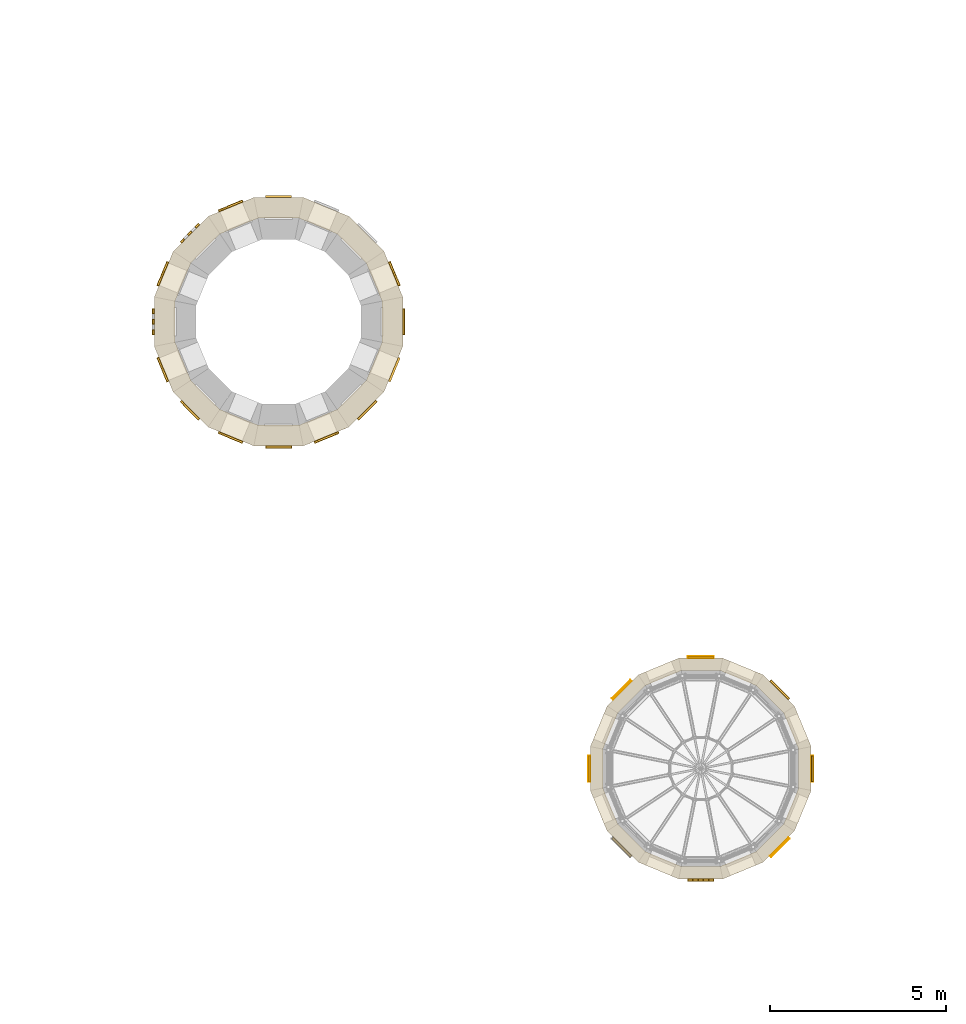
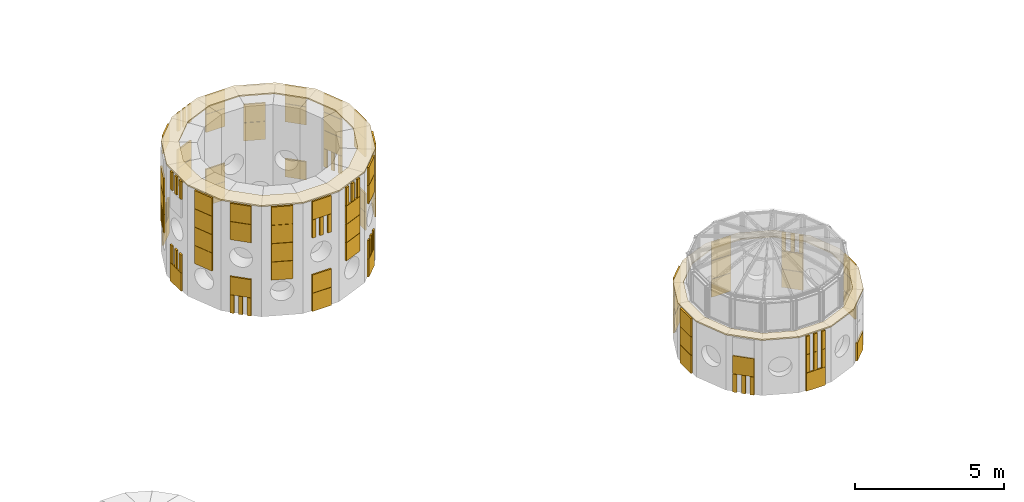
# One storey, part 36 of 42: 12 coverings.
"""IFC4 building model written with IfcOpenShell, lengths in metres."""

from ifc_helpers import new_model, si_unit, direction, frame, origin, origin_2d, place, context, subcontext, project, spatial, polyline, rectangle, outline, extrude, material, layer, layer_set, type_object, element, save


model = new_model("IFC4")

# Units and contexts
model_context = context("Model", 3, precision=1e-05, world=origin(), true_north=direction((0.0, 1.0)))
body_context = subcontext(model_context, "Body", "Model", "MODEL_VIEW")
ifc_project = project(units=[si_unit("LENGTHUNIT", "METRE"), si_unit("AREAUNIT", "SQUARE_METRE"), si_unit("VOLUMEUNIT", "CUBIC_METRE"), si_unit("PLANEANGLEUNIT", "RADIAN"), si_unit("MASSUNIT", "GRAM", prefix="KILO")], contexts=[model_context])

# Site, building, storey
site_placement = place(None, origin())
site = spatial("IfcSite", under=ifc_project, at=site_placement, CompositionType="ELEMENT")
building_placement = place(site_placement, origin())
building = spatial("IfcBuilding", under=site, at=building_placement, Name="Sun Court Science Centre", CompositionType="ELEMENT")
storey_placement = place(building_placement, frame((0.0, 0.0, 20.25)))
storey = spatial("IfcBuildingStorey", under=building, at=storey_placement, Name="L04", CompositionType="ELEMENT", Elevation=20.25)

# Coverings
ifc_material_1 = material(Name="Red sandstone", Category="masonry")
ifc_layer_1 = layer(ifc_material_1, 0.050048828125)
ifc_layer_set_1 = layer_set([ifc_layer_1], Name="Red sandstone")
covering_type_1 = type_object("IfcCoveringType", Name="Red sandstone coping 50", PredefinedType="CLADDING", material=ifc_layer_set_1)
covering_1_placement = place(storey_placement, frame((0.0, 0.0, 4.199951171875)))
element("IfcCovering", 1, at=covering_1_placement, inside=storey, type_object=covering_type_1, Name="Sandstone coping of drum ledge cone 4 5", PredefinedType="CLADDING", context=body_context, shape_type="SweptSolid", body=[
    extrude(outline(polyline([(45.53076171875, 24.90234375), (44.993408203125, 26.199951171875), (44.0, 27.193359375), (42.702392578125, 27.730712890625), (41.297607421875, 27.730712890625), (40.0, 27.193359375), (39.006591796875, 26.199951171875), (38.46923828125, 24.90234375), (38.46923828125, 23.49755859375), (39.006591796875, 22.199951171875), (40.0, 21.206787109375), (41.297607421875, 20.669189453125), (42.702392578125, 20.669189453125), (44.0, 21.206787109375), (44.993408203125, 22.199951171875), (45.53076171875, 23.49755859375), (45.53076171875, 24.90234375)]), holes=[polyline([(44.9423828125, 24.78515625), (44.494384765625, 25.86669921875), (43.666748046875, 26.6943359375), (42.585205078125, 27.142333984375), (41.414794921875, 27.142333984375), (40.333251953125, 26.6943359375), (39.505615234375, 25.86669921875), (39.0576171875, 24.78515625), (39.0576171875, 23.61474609375), (39.505615234375, 22.533203125), (40.333251953125, 21.70556640625), (41.414794921875, 21.257568359375), (42.585205078125, 21.257568359375), (43.666748046875, 21.70556640625), (44.494384765625, 22.533203125), (44.9423828125, 23.61474609375), (44.9423828125, 24.78515625)])]), origin(), (0.0, 0.0, 1.0), 0.050048828125),
])
covering_2_placement = place(storey_placement, frame((0.0, 0.0, 1.949951171875)))
element("IfcCovering", 2, at=covering_2_placement, inside=storey, type_object=covering_type_1, Name="Sandstone coping of drum top cone 5", PredefinedType="CLADDING", context=body_context, shape_type="SweptSolid", body=[
    extrude(outline(polyline([(57.138427734375, 12.124267578125), (56.66064453125, 13.27783203125), (55.77783203125, 14.16064453125), (54.624267578125, 14.638427734375), (53.375732421875, 14.638427734375), (52.22216796875, 14.16064453125), (51.33935546875, 13.27783203125), (50.861572265625, 12.124267578125), (50.861572265625, 10.875732421875), (51.33935546875, 9.72216796875), (52.22216796875, 8.83935546875), (53.375732421875, 8.361572265625), (54.624267578125, 8.361572265625), (55.77783203125, 8.83935546875), (56.66064453125, 9.72216796875), (57.138427734375, 10.875732421875), (57.138427734375, 12.124267578125)]), holes=[polyline([(56.78369140625, 12.0537109375), (56.35986328125, 13.076904296875), (55.576904296875, 13.85986328125), (54.5537109375, 14.28369140625), (53.4462890625, 14.28369140625), (52.423095703125, 13.85986328125), (51.64013671875, 13.076904296875), (51.21630859375, 12.0537109375), (51.21630859375, 10.9462890625), (51.64013671875, 9.923095703125), (52.423095703125, 9.14013671875), (53.4462890625, 8.71630859375), (54.5537109375, 8.71630859375), (55.576904296875, 9.14013671875), (56.35986328125, 9.923095703125), (56.78369140625, 10.9462890625), (56.78369140625, 12.0537109375)])]), origin(), (0.0, 0.0, 1.0), 0.050048828125),
])
ifc_material_2 = material(Name="Terracotta jali", Category="masonry")
ifc_layer_2 = layer(ifc_material_2, 0.06005859375)
ifc_layer_set_2 = layer_set([ifc_layer_2], Name="Terracotta jali")
covering_type_2 = type_object("IfcCoveringType", Name="Terracotta open jali panel", PredefinedType="CLADDING", material=ifc_layer_set_2)
covering_3_placement = place(storey_placement, frame((0.0, 0.0, -20.25)))
element("IfcCovering", 3, at=covering_3_placement, inside=storey, type_object=covering_type_2, Name="Open jali pixel cladding cone 4 L04", PredefinedType="CLADDING", context=body_context, shape_type="SweptSolid", body=[
    extrude(rectangle(XDim=0.139892578125, YDim=0.06005859375, at=origin_2d()), frame((45.175048828125, 25.83984375, 21.455078125), z_axis=(0.0, 0.0, 1.0), x_axis=(0.382683432365, -0.923879532511, 0.0)), (0.0, 0.0, 1.0), 0.739990234375),
    extrude(rectangle(XDim=0.139892578125, YDim=0.06005859375, at=origin_2d()), frame((45.289794921875, 25.562744140625, 21.455078125), z_axis=(0.0, 0.0, 1.0), x_axis=(0.382683432365, -0.923879532511, 0.0)), (0.0, 0.0, 1.0), 0.739990234375),
    extrude(rectangle(XDim=0.139892578125, YDim=0.06005859375, at=origin_2d()), frame((45.404541015625, 25.285400390625, 21.455078125), z_axis=(0.0, 0.0, 1.0), x_axis=(0.382683432365, -0.923879532511, 0.0)), (0.0, 0.0, 1.0), 0.739990234375),
    extrude(rectangle(XDim=0.139892578125, YDim=0.06005859375, at=origin_2d()), frame((40.360107421875, 27.375, 23.705078125), z_axis=(0.0, 0.0, 1.0), x_axis=(0.923879532511, 0.382683432365, 0.0)), (0.0, 0.0, 1.0), 0.739990234375),
    extrude(rectangle(XDim=0.139892578125, YDim=0.06005859375, at=origin_2d()), frame((40.637451171875, 27.48974609375, 23.705078125), z_axis=(0.0, 0.0, 1.0), x_axis=(0.923879532511, 0.382683432365, 0.0)), (0.0, 0.0, 1.0), 0.739990234375),
    extrude(rectangle(XDim=0.139892578125, YDim=0.06005859375, at=origin_2d()), frame((40.91455078125, 27.6044921875, 23.705078125), z_axis=(0.0, 0.0, 1.0), x_axis=(0.923879532511, 0.382683432365, 0.0)), (0.0, 0.0, 1.0), 0.739990234375),
    extrude(rectangle(XDim=0.139892578125, YDim=0.06005859375, at=origin_2d()), frame((39.27001953125, 26.505859375, 20.705078125), z_axis=(0.0, 0.0, 1.0), x_axis=(0.707106781187, 0.707106781187, 0.0)), (0.0, 0.0, 1.0), 0.739990234375),
    extrude(rectangle(XDim=0.139892578125, YDim=0.06005859375, at=origin_2d()), frame((39.482177734375, 26.7177734375, 20.705078125), z_axis=(0.0, 0.0, 1.0), x_axis=(0.707106781187, 0.707106781187, 0.0)), (0.0, 0.0, 1.0), 0.739990234375),
    extrude(rectangle(XDim=0.139892578125, YDim=0.06005859375, at=origin_2d()), frame((39.6943359375, 26.929931640625, 20.705078125), z_axis=(0.0, 0.0, 1.0), x_axis=(0.707106781187, 0.707106781187, 0.0)), (0.0, 0.0, 1.0), 0.739990234375),
    extrude(rectangle(XDim=0.139892578125, YDim=0.06005859375, at=origin_2d()), frame((38.595458984375, 25.285400390625, 21.455078125), z_axis=(0.0, 0.0, 1.0), x_axis=(0.382683432365, 0.923879532511, 0.0)), (0.0, 0.0, 1.0), 0.739990234375),
    extrude(rectangle(XDim=0.139892578125, YDim=0.06005859375, at=origin_2d()), frame((38.710205078125, 25.562744140625, 21.455078125), z_axis=(0.0, 0.0, 1.0), x_axis=(0.382683432365, 0.923879532511, 0.0)), (0.0, 0.0, 1.0), 0.739990234375),
    extrude(rectangle(XDim=0.139892578125, YDim=0.06005859375, at=origin_2d()), frame((38.824951171875, 25.83984375, 21.455078125), z_axis=(0.0, 0.0, 1.0), x_axis=(0.382683432365, 0.923879532511, 0.0)), (0.0, 0.0, 1.0), 0.739990234375),
    extrude(rectangle(XDim=0.139892578125, YDim=0.06005859375, at=origin_2d()), frame((38.439208984375, 23.89990234375, 20.705078125), z_axis=(0.0, 0.0, 1.0), x_axis=(0.0, 1.0, 0.0)), (0.0, 0.0, 1.0), 0.739990234375),
    extrude(rectangle(XDim=0.139892578125, YDim=0.06005859375, at=origin_2d()), frame((38.439208984375, 24.199951171875, 20.705078125), z_axis=(0.0, 0.0, 1.0), x_axis=(0.0, 1.0, 0.0)), (0.0, 0.0, 1.0), 0.739990234375),
    extrude(rectangle(XDim=0.139892578125, YDim=0.06005859375, at=origin_2d()), frame((38.439208984375, 24.5, 20.705078125), z_axis=(0.0, 0.0, 1.0), x_axis=(0.0, 1.0, 0.0)), (0.0, 0.0, 1.0), 0.739990234375),
    extrude(rectangle(XDim=0.139892578125, YDim=0.06005859375, at=origin_2d()), frame((38.439208984375, 23.89990234375, 23.705078125), z_axis=(0.0, 0.0, 1.0), x_axis=(0.0, 1.0, 0.0)), (0.0, 0.0, 1.0), 0.739990234375),
    extrude(rectangle(XDim=0.139892578125, YDim=0.06005859375, at=origin_2d()), frame((38.439208984375, 24.199951171875, 23.705078125), z_axis=(0.0, 0.0, 1.0), x_axis=(0.0, 1.0, 0.0)), (0.0, 0.0, 1.0), 0.739990234375),
    extrude(rectangle(XDim=0.139892578125, YDim=0.06005859375, at=origin_2d()), frame((38.439208984375, 24.5, 23.705078125), z_axis=(0.0, 0.0, 1.0), x_axis=(0.0, 1.0, 0.0)), (0.0, 0.0, 1.0), 0.739990234375),
    extrude(rectangle(XDim=0.139892578125, YDim=0.06005859375, at=origin_2d()), frame((39.6943359375, 21.469970703125, 19.955078125), z_axis=(0.0, 0.0, 1.0), x_axis=(-0.707106781187, 0.707106781187, 0.0)), (0.0, 0.0, 1.0), 0.739990234375),
    extrude(rectangle(XDim=0.139892578125, YDim=0.06005859375, at=origin_2d()), frame((39.482177734375, 21.68212890625, 19.955078125), z_axis=(0.0, 0.0, 1.0), x_axis=(-0.707106781187, 0.707106781187, 0.0)), (0.0, 0.0, 1.0), 0.739990234375),
    extrude(rectangle(XDim=0.139892578125, YDim=0.06005859375, at=origin_2d()), frame((39.27001953125, 21.894287109375, 19.955078125), z_axis=(0.0, 0.0, 1.0), x_axis=(-0.707106781187, 0.707106781187, 0.0)), (0.0, 0.0, 1.0), 0.739990234375),
    extrude(rectangle(XDim=0.139892578125, YDim=0.06005859375, at=origin_2d()), frame((42.300048828125, 20.63916015625, 22.955078125), z_axis=(0.0, 0.0, 1.0), x_axis=(-1.0, 0.0, 0.0)), (0.0, 0.0, 1.0), 0.739990234375),
    extrude(rectangle(XDim=0.139892578125, YDim=0.06005859375, at=origin_2d()), frame((42.0, 20.63916015625, 22.955078125), z_axis=(0.0, 0.0, 1.0), x_axis=(-1.0, 0.0, 0.0)), (0.0, 0.0, 1.0), 0.739990234375),
    extrude(rectangle(XDim=0.139892578125, YDim=0.06005859375, at=origin_2d()), frame((41.699951171875, 20.63916015625, 22.955078125), z_axis=(0.0, 0.0, 1.0), x_axis=(-1.0, 0.0, 0.0)), (0.0, 0.0, 1.0), 0.739990234375),
    extrude(rectangle(XDim=0.139892578125, YDim=0.06005859375, at=origin_2d()), frame((43.639892578125, 21.025146484375, 23.705078125), z_axis=(0.0, 0.0, 1.0), x_axis=(-0.923879532511, -0.382683432365, 0.0)), (0.0, 0.0, 1.0), 0.739990234375),
    extrude(rectangle(XDim=0.139892578125, YDim=0.06005859375, at=origin_2d()), frame((43.362548828125, 20.91015625, 23.705078125), z_axis=(0.0, 0.0, 1.0), x_axis=(-0.923879532511, -0.382683432365, 0.0)), (0.0, 0.0, 1.0), 0.739990234375),
    extrude(rectangle(XDim=0.139892578125, YDim=0.06005859375, at=origin_2d()), frame((43.08544921875, 20.79541015625, 23.705078125), z_axis=(0.0, 0.0, 1.0), x_axis=(-0.923879532511, -0.382683432365, 0.0)), (0.0, 0.0, 1.0), 0.739990234375),
    extrude(rectangle(XDim=0.139892578125, YDim=0.06005859375, at=origin_2d()), frame((44.72998046875, 21.894287109375, 20.705078125), z_axis=(0.0, 0.0, 1.0), x_axis=(-0.707106781187, -0.707106781187, 0.0)), (0.0, 0.0, 1.0), 0.739990234375),
    extrude(rectangle(XDim=0.139892578125, YDim=0.06005859375, at=origin_2d()), frame((44.517822265625, 21.68212890625, 20.705078125), z_axis=(0.0, 0.0, 1.0), x_axis=(-0.707106781187, -0.707106781187, 0.0)), (0.0, 0.0, 1.0), 0.739990234375),
    extrude(rectangle(XDim=0.139892578125, YDim=0.06005859375, at=origin_2d()), frame((44.3056640625, 21.469970703125, 20.705078125), z_axis=(0.0, 0.0, 1.0), x_axis=(-0.707106781187, -0.707106781187, 0.0)), (0.0, 0.0, 1.0), 0.739990234375),
    extrude(rectangle(XDim=0.739990234375, YDim=0.06005859375, at=origin_2d()), frame((42.0, 20.63916015625, 19.955078125), z_axis=(0.0, 0.0, 1.0), x_axis=(-1.0, 0.0, 0.0)), (0.0, 0.0, 1.0), 0.739990234375),
])
covering_4_placement = place(storey_placement, frame((0.0, 0.0, -20.25)))
element("IfcCovering", 4, at=covering_4_placement, inside=storey, type_object=covering_type_2, Name="Open jali pixel cladding cone 5 L04", PredefinedType="CLADDING", context=body_context, shape_type="SweptSolid", body=[
    extrude(rectangle(XDim=0.139892578125, YDim=0.06005859375, at=origin_2d()), frame((56.0283203125, 13.95263671875, 21.455078125), z_axis=(0.0, 0.0, 1.0), x_axis=(0.707106781187, -0.707106781187, 0.0)), (0.0, 0.0, 1.0), 0.739990234375),
    extrude(rectangle(XDim=0.139892578125, YDim=0.06005859375, at=origin_2d()), frame((56.240478515625, 13.740478515625, 21.455078125), z_axis=(0.0, 0.0, 1.0), x_axis=(0.707106781187, -0.707106781187, 0.0)), (0.0, 0.0, 1.0), 0.739990234375),
    extrude(rectangle(XDim=0.139892578125, YDim=0.06005859375, at=origin_2d()), frame((56.45263671875, 13.5283203125, 21.455078125), z_axis=(0.0, 0.0, 1.0), x_axis=(0.707106781187, -0.707106781187, 0.0)), (0.0, 0.0, 1.0), 0.739990234375),
    extrude(rectangle(XDim=0.139892578125, YDim=0.06005859375, at=origin_2d()), frame((51.9716796875, 9.04736328125, 19.955078125), z_axis=(0.0, 0.0, 1.0), x_axis=(-0.707106781187, 0.707106781187, 0.0)), (0.0, 0.0, 1.0), 0.739990234375),
    extrude(rectangle(XDim=0.139892578125, YDim=0.06005859375, at=origin_2d()), frame((51.759521484375, 9.259521484375, 19.955078125), z_axis=(0.0, 0.0, 1.0), x_axis=(-0.707106781187, 0.707106781187, 0.0)), (0.0, 0.0, 1.0), 0.739990234375),
    extrude(rectangle(XDim=0.139892578125, YDim=0.06005859375, at=origin_2d()), frame((51.54736328125, 9.4716796875, 19.955078125), z_axis=(0.0, 0.0, 1.0), x_axis=(-0.707106781187, 0.707106781187, 0.0)), (0.0, 0.0, 1.0), 0.739990234375),
    extrude(rectangle(XDim=0.139892578125, YDim=0.06005859375, at=origin_2d()), frame((54.300048828125, 8.33154296875, 20.705078125), z_axis=(0.0, 0.0, 1.0), x_axis=(-1.0, 0.0, 0.0)), (0.0, 0.0, 1.0), 0.739990234375),
    extrude(rectangle(XDim=0.139892578125, YDim=0.06005859375, at=origin_2d()), frame((54.0, 8.33154296875, 20.705078125), z_axis=(0.0, 0.0, 1.0), x_axis=(-1.0, 0.0, 0.0)), (0.0, 0.0, 1.0), 0.739990234375),
    extrude(rectangle(XDim=0.139892578125, YDim=0.06005859375, at=origin_2d()), frame((53.699951171875, 8.33154296875, 20.705078125), z_axis=(0.0, 0.0, 1.0), x_axis=(-1.0, 0.0, 0.0)), (0.0, 0.0, 1.0), 0.739990234375),
    extrude(rectangle(XDim=0.139892578125, YDim=0.06005859375, at=origin_2d()), frame((54.300048828125, 8.33154296875, 21.455078125), z_axis=(0.0, 0.0, 1.0), x_axis=(-1.0, 0.0, 0.0)), (0.0, 0.0, 1.0), 0.739990234375),
    extrude(rectangle(XDim=0.139892578125, YDim=0.06005859375, at=origin_2d()), frame((54.0, 8.33154296875, 21.455078125), z_axis=(0.0, 0.0, 1.0), x_axis=(-1.0, 0.0, 0.0)), (0.0, 0.0, 1.0), 0.739990234375),
    extrude(rectangle(XDim=0.139892578125, YDim=0.06005859375, at=origin_2d()), frame((53.699951171875, 8.33154296875, 21.455078125), z_axis=(0.0, 0.0, 1.0), x_axis=(-1.0, 0.0, 0.0)), (0.0, 0.0, 1.0), 0.739990234375),
    extrude(rectangle(XDim=0.739990234375, YDim=0.06005859375, at=origin_2d()), frame((54.0, 8.33154296875, 19.955078125), z_axis=(0.0, 0.0, 1.0), x_axis=(-1.0, 0.0, 0.0)), (0.0, 0.0, 1.0), 0.739990234375),
    extrude(rectangle(XDim=0.739990234375, YDim=0.06005859375, at=origin_2d()), frame((51.759521484375, 13.740478515625, 19.955078125), z_axis=(0.0, 0.0, 1.0), x_axis=(0.707106781187, 0.707106781187, 0.0)), (0.0, 0.0, 1.0), 0.739990234375),
    extrude(rectangle(XDim=0.739990234375, YDim=0.06005859375, at=origin_2d()), frame((51.759521484375, 13.740478515625, 21.455078125), z_axis=(0.0, 0.0, 1.0), x_axis=(0.707106781187, 0.707106781187, 0.0)), (0.0, 0.0, 1.0), 0.739990234375),
])
ifc_material_3 = material(Name="Terracotta shade 1", Category="masonry")
ifc_layer_3 = layer(ifc_material_3, 0.06005859375)
ifc_layer_set_3 = layer_set([ifc_layer_3], Name="Terracotta shade 1")
covering_type_3 = type_object("IfcCoveringType", Name="Terracotta pixel panel shade 1", PredefinedType="CLADDING", material=ifc_layer_set_3)
covering_5_placement = place(storey_placement, frame((0.0, 0.0, -20.25)))
element("IfcCovering", 5, at=covering_5_placement, inside=storey, type_object=covering_type_3, Name="Terracotta pixel cladding shade 1 cone 4 L04", PredefinedType="CLADDING", context=body_context, shape_type="SweptSolid", body=[
    extrude(rectangle(XDim=0.739990234375, YDim=0.06005859375, at=origin_2d()), frame((45.289794921875, 25.562744140625, 23.705078125), z_axis=(0.0, 0.0, 1.0), x_axis=(0.382683432365, -0.923879532511, 0.0)), (0.0, 0.0, 1.0), 0.739990234375),
    extrude(rectangle(XDim=0.739990234375, YDim=0.06005859375, at=origin_2d()), frame((44.517822265625, 26.7177734375, 20.705078125), z_axis=(0.0, 0.0, 1.0), x_axis=(0.707106781187, -0.707106781187, 0.0)), (0.0, 0.0, 1.0), 0.739990234375),
    extrude(rectangle(XDim=0.739990234375, YDim=0.06005859375, at=origin_2d()), frame((44.517822265625, 26.7177734375, 23.705078125), z_axis=(0.0, 0.0, 1.0), x_axis=(0.707106781187, -0.707106781187, 0.0)), (0.0, 0.0, 1.0), 0.739990234375),
    extrude(rectangle(XDim=0.739990234375, YDim=0.06005859375, at=origin_2d()), frame((43.362548828125, 27.48974609375, 22.205078125), z_axis=(0.0, 0.0, 1.0), x_axis=(0.923879532511, -0.382683432365, 0.0)), (0.0, 0.0, 1.0), 0.739990234375),
    extrude(rectangle(XDim=0.739990234375, YDim=0.06005859375, at=origin_2d()), frame((43.362548828125, 27.48974609375, 22.955078125), z_axis=(0.0, 0.0, 1.0), x_axis=(0.923879532511, -0.382683432365, 0.0)), (0.0, 0.0, 1.0), 0.739990234375),
    extrude(rectangle(XDim=0.739990234375, YDim=0.06005859375, at=origin_2d()), frame((42.0, 27.7607421875, 22.955078125), z_axis=(0.0, 0.0, 1.0), x_axis=(1.0, 0.0, 0.0)), (0.0, 0.0, 1.0), 0.739990234375),
    extrude(rectangle(XDim=0.739990234375, YDim=0.06005859375, at=origin_2d()), frame((42.0, 27.7607421875, 23.705078125), z_axis=(0.0, 0.0, 1.0), x_axis=(1.0, 0.0, 0.0)), (0.0, 0.0, 1.0), 0.739990234375),
    extrude(rectangle(XDim=0.739990234375, YDim=0.06005859375, at=origin_2d()), frame((40.637451171875, 27.48974609375, 21.455078125), z_axis=(0.0, 0.0, 1.0), x_axis=(0.923879532511, 0.382683432365, 0.0)), (0.0, 0.0, 1.0), 0.739990234375),
    extrude(rectangle(XDim=0.739990234375, YDim=0.06005859375, at=origin_2d()), frame((39.482177734375, 26.7177734375, 23.705078125), z_axis=(0.0, 0.0, 1.0), x_axis=(0.707106781187, 0.707106781187, 0.0)), (0.0, 0.0, 1.0), 0.739990234375),
    extrude(rectangle(XDim=0.739990234375, YDim=0.06005859375, at=origin_2d()), frame((38.439208984375, 24.199951171875, 19.955078125), z_axis=(0.0, 0.0, 1.0), x_axis=(0.0, 1.0, 0.0)), (0.0, 0.0, 1.0), 0.739990234375),
    extrude(rectangle(XDim=0.739990234375, YDim=0.06005859375, at=origin_2d()), frame((39.482177734375, 21.68212890625, 23.705078125), z_axis=(0.0, 0.0, 1.0), x_axis=(-0.707106781187, 0.707106781187, 0.0)), (0.0, 0.0, 1.0), 0.739990234375),
    extrude(rectangle(XDim=0.739990234375, YDim=0.06005859375, at=origin_2d()), frame((43.362548828125, 20.91015625, 21.455078125), z_axis=(0.0, 0.0, 1.0), x_axis=(-0.923879532511, -0.382683432365, 0.0)), (0.0, 0.0, 1.0), 0.739990234375),
    extrude(rectangle(XDim=0.739990234375, YDim=0.06005859375, at=origin_2d()), frame((44.517822265625, 21.68212890625, 19.955078125), z_axis=(0.0, 0.0, 1.0), x_axis=(-0.707106781187, -0.707106781187, 0.0)), (0.0, 0.0, 1.0), 0.739990234375),
    extrude(rectangle(XDim=0.739990234375, YDim=0.06005859375, at=origin_2d()), frame((44.517822265625, 21.68212890625, 23.705078125), z_axis=(0.0, 0.0, 1.0), x_axis=(-0.707106781187, -0.707106781187, 0.0)), (0.0, 0.0, 1.0), 0.739990234375),
    extrude(rectangle(XDim=0.739990234375, YDim=0.06005859375, at=origin_2d()), frame((45.289794921875, 22.83740234375, 22.205078125), z_axis=(0.0, 0.0, 1.0), x_axis=(-0.382683432365, -0.923879532511, 0.0)), (0.0, 0.0, 1.0), 0.739990234375),
    extrude(rectangle(XDim=0.739990234375, YDim=0.06005859375, at=origin_2d()), frame((45.560791015625, 24.199951171875, 20.705078125), z_axis=(0.0, 0.0, 1.0), x_axis=(0.0, -1.0, 0.0)), (0.0, 0.0, 1.0), 0.739990234375),
    extrude(rectangle(XDim=0.739990234375, YDim=0.06005859375, at=origin_2d()), frame((40.637451171875, 20.91015625, 22.955078125), z_axis=(0.0, 0.0, 1.0), x_axis=(-0.923879532511, 0.382683432365, 0.0)), (0.0, 0.0, 1.0), 0.739990234375),
    extrude(rectangle(XDim=0.739990234375, YDim=0.06005859375, at=origin_2d()), frame((40.637451171875, 20.91015625, 23.705078125), z_axis=(0.0, 0.0, 1.0), x_axis=(-0.923879532511, 0.382683432365, 0.0)), (0.0, 0.0, 1.0), 0.739990234375),
    extrude(rectangle(XDim=0.739990234375, YDim=0.06005859375, at=origin_2d()), frame((43.362548828125, 20.91015625, 22.955078125), z_axis=(0.0, 0.0, 1.0), x_axis=(-0.923879532511, -0.382683432365, 0.0)), (0.0, 0.0, 1.0), 0.739990234375),
    extrude(rectangle(XDim=0.739990234375, YDim=0.06005859375, at=origin_2d()), frame((42.0, 27.7607421875, 19.955078125), z_axis=(0.0, 0.0, 1.0), x_axis=(1.0, 0.0, 0.0)), (0.0, 0.0, 1.0), 0.739990234375),
    extrude(rectangle(XDim=0.739990234375, YDim=0.06005859375, at=origin_2d()), frame((42.0, 27.7607421875, 20.705078125), z_axis=(0.0, 0.0, 1.0), x_axis=(1.0, 0.0, 0.0)), (0.0, 0.0, 1.0), 0.739990234375),
])
ifc_material_4 = material(Name="Terracotta shade 2", Category="masonry")
ifc_layer_4 = layer(ifc_material_4, 0.06005859375)
ifc_layer_set_4 = layer_set([ifc_layer_4], Name="Terracotta shade 2")
covering_type_4 = type_object("IfcCoveringType", Name="Terracotta pixel panel shade 2", PredefinedType="CLADDING", material=ifc_layer_set_4)
covering_6_placement = place(storey_placement, frame((0.0, 0.0, -20.25)))
element("IfcCovering", 6, at=covering_6_placement, inside=storey, type_object=covering_type_4, Name="Terracotta pixel cladding shade 2 cone 4 L04", PredefinedType="CLADDING", context=body_context, shape_type="SweptSolid", body=[
    extrude(rectangle(XDim=0.739990234375, YDim=0.06005859375, at=origin_2d()), frame((44.517822265625, 26.7177734375, 22.955078125), z_axis=(0.0, 0.0, 1.0), x_axis=(0.707106781187, -0.707106781187, 0.0)), (0.0, 0.0, 1.0), 0.739990234375),
    extrude(rectangle(XDim=0.739990234375, YDim=0.06005859375, at=origin_2d()), frame((39.482177734375, 26.7177734375, 19.955078125), z_axis=(0.0, 0.0, 1.0), x_axis=(0.707106781187, 0.707106781187, 0.0)), (0.0, 0.0, 1.0), 0.739990234375),
    extrude(rectangle(XDim=0.739990234375, YDim=0.06005859375, at=origin_2d()), frame((38.710205078125, 25.562744140625, 22.955078125), z_axis=(0.0, 0.0, 1.0), x_axis=(0.382683432365, 0.923879532511, 0.0)), (0.0, 0.0, 1.0), 0.739990234375),
    extrude(rectangle(XDim=0.739990234375, YDim=0.06005859375, at=origin_2d()), frame((38.710205078125, 22.83740234375, 21.455078125), z_axis=(0.0, 0.0, 1.0), x_axis=(-0.382683432365, 0.923879532511, 0.0)), (0.0, 0.0, 1.0), 0.739990234375),
    extrude(rectangle(XDim=0.739990234375, YDim=0.06005859375, at=origin_2d()), frame((38.710205078125, 22.83740234375, 22.205078125), z_axis=(0.0, 0.0, 1.0), x_axis=(-0.382683432365, 0.923879532511, 0.0)), (0.0, 0.0, 1.0), 0.739990234375),
    extrude(rectangle(XDim=0.739990234375, YDim=0.06005859375, at=origin_2d()), frame((38.710205078125, 22.83740234375, 23.705078125), z_axis=(0.0, 0.0, 1.0), x_axis=(-0.382683432365, 0.923879532511, 0.0)), (0.0, 0.0, 1.0), 0.739990234375),
    extrude(rectangle(XDim=0.739990234375, YDim=0.06005859375, at=origin_2d()), frame((39.482177734375, 21.68212890625, 22.955078125), z_axis=(0.0, 0.0, 1.0), x_axis=(-0.707106781187, 0.707106781187, 0.0)), (0.0, 0.0, 1.0), 0.739990234375),
    extrude(rectangle(XDim=0.739990234375, YDim=0.06005859375, at=origin_2d()), frame((40.637451171875, 20.91015625, 21.455078125), z_axis=(0.0, 0.0, 1.0), x_axis=(-0.923879532511, 0.382683432365, 0.0)), (0.0, 0.0, 1.0), 0.739990234375),
    extrude(rectangle(XDim=0.739990234375, YDim=0.06005859375, at=origin_2d()), frame((45.289794921875, 22.83740234375, 21.455078125), z_axis=(0.0, 0.0, 1.0), x_axis=(-0.382683432365, -0.923879532511, 0.0)), (0.0, 0.0, 1.0), 0.739990234375),
    extrude(rectangle(XDim=0.739990234375, YDim=0.06005859375, at=origin_2d()), frame((45.289794921875, 22.83740234375, 22.955078125), z_axis=(0.0, 0.0, 1.0), x_axis=(-0.382683432365, -0.923879532511, 0.0)), (0.0, 0.0, 1.0), 0.739990234375),
    extrude(rectangle(XDim=0.739990234375, YDim=0.06005859375, at=origin_2d()), frame((45.289794921875, 22.83740234375, 23.705078125), z_axis=(0.0, 0.0, 1.0), x_axis=(-0.382683432365, -0.923879532511, 0.0)), (0.0, 0.0, 1.0), 0.739990234375),
    extrude(rectangle(XDim=0.739990234375, YDim=0.06005859375, at=origin_2d()), frame((45.560791015625, 24.199951171875, 19.955078125), z_axis=(0.0, 0.0, 1.0), x_axis=(0.0, -1.0, 0.0)), (0.0, 0.0, 1.0), 0.739990234375),
    extrude(rectangle(XDim=0.739990234375, YDim=0.06005859375, at=origin_2d()), frame((45.560791015625, 24.199951171875, 23.705078125), z_axis=(0.0, 0.0, 1.0), x_axis=(0.0, -1.0, 0.0)), (0.0, 0.0, 1.0), 0.739990234375),
])
covering_7_placement = place(storey_placement, frame((0.0, 0.0, -20.25)))
element("IfcCovering", 7, at=covering_7_placement, inside=storey, type_object=covering_type_4, Name="Terracotta pixel cladding shade 2 cone 5 L04", PredefinedType="CLADDING", context=body_context, shape_type="SweptSolid", body=[
    extrude(rectangle(XDim=0.739990234375, YDim=0.06005859375, at=origin_2d()), frame((56.240478515625, 13.740478515625, 20.705078125), z_axis=(0.0, 0.0, 1.0), x_axis=(0.707106781187, -0.707106781187, 0.0)), (0.0, 0.0, 1.0), 0.739990234375),
    extrude(rectangle(XDim=0.739990234375, YDim=0.06005859375, at=origin_2d()), frame((54.0, 14.66845703125, 19.955078125), z_axis=(0.0, 0.0, 1.0), x_axis=(1.0, 0.0, 0.0)), (0.0, 0.0, 1.0), 0.739990234375),
    extrude(rectangle(XDim=0.739990234375, YDim=0.06005859375, at=origin_2d()), frame((50.83154296875, 11.5, 19.955078125), z_axis=(0.0, 0.0, 1.0), x_axis=(0.0, 1.0, 0.0)), (0.0, 0.0, 1.0), 0.739990234375),
    extrude(rectangle(XDim=0.739990234375, YDim=0.06005859375, at=origin_2d()), frame((50.83154296875, 11.5, 20.705078125), z_axis=(0.0, 0.0, 1.0), x_axis=(0.0, 1.0, 0.0)), (0.0, 0.0, 1.0), 0.739990234375),
    extrude(rectangle(XDim=0.739990234375, YDim=0.06005859375, at=origin_2d()), frame((51.759521484375, 9.259521484375, 20.705078125), z_axis=(0.0, 0.0, 1.0), x_axis=(-0.707106781187, 0.707106781187, 0.0)), (0.0, 0.0, 1.0), 0.739990234375),
])
ifc_material_5 = material(Name="Terracotta shade 3", Category="masonry")
ifc_layer_5 = layer(ifc_material_5, 0.06005859375)
ifc_layer_set_5 = layer_set([ifc_layer_5], Name="Terracotta shade 3")
covering_type_5 = type_object("IfcCoveringType", Name="Terracotta pixel panel shade 3", PredefinedType="CLADDING", material=ifc_layer_set_5)
covering_8_placement = place(storey_placement, frame((0.0, 0.0, -20.25)))
element("IfcCovering", 8, at=covering_8_placement, inside=storey, type_object=covering_type_5, Name="Terracotta pixel cladding shade 3 cone 5 L04", PredefinedType="CLADDING", context=body_context, shape_type="SweptSolid", body=[
    extrude(rectangle(XDim=0.739990234375, YDim=0.06005859375, at=origin_2d()), frame((54.0, 14.66845703125, 21.455078125), z_axis=(0.0, 0.0, 1.0), x_axis=(1.0, 0.0, 0.0)), (0.0, 0.0, 1.0), 0.739990234375),
    extrude(rectangle(XDim=0.739990234375, YDim=0.06005859375, at=origin_2d()), frame((51.759521484375, 13.740478515625, 20.705078125), z_axis=(0.0, 0.0, 1.0), x_axis=(0.707106781187, 0.707106781187, 0.0)), (0.0, 0.0, 1.0), 0.739990234375),
    extrude(rectangle(XDim=0.739990234375, YDim=0.06005859375, at=origin_2d()), frame((50.83154296875, 11.5, 21.455078125), z_axis=(0.0, 0.0, 1.0), x_axis=(0.0, 1.0, 0.0)), (0.0, 0.0, 1.0), 0.739990234375),
    extrude(rectangle(XDim=0.739990234375, YDim=0.06005859375, at=origin_2d()), frame((57.16845703125, 11.5, 19.955078125), z_axis=(0.0, 0.0, 1.0), x_axis=(0.0, -1.0, 0.0)), (0.0, 0.0, 1.0), 0.739990234375),
])
ifc_material_6 = material(Name="Terracotta shade 4", Category="masonry")
ifc_layer_6 = layer(ifc_material_6, 0.06005859375)
ifc_layer_set_6 = layer_set([ifc_layer_6], Name="Terracotta shade 4")
covering_type_6 = type_object("IfcCoveringType", Name="Terracotta pixel panel shade 4", PredefinedType="CLADDING", material=ifc_layer_set_6)
covering_9_placement = place(storey_placement, frame((0.0, 0.0, -20.25)))
element("IfcCovering", 9, at=covering_9_placement, inside=storey, type_object=covering_type_6, Name="Terracotta pixel cladding shade 4 cone 4 L04", PredefinedType="CLADDING", context=body_context, shape_type="SweptSolid", body=[
    extrude(rectangle(XDim=0.739990234375, YDim=0.06005859375, at=origin_2d()), frame((38.710205078125, 25.562744140625, 22.205078125), z_axis=(0.0, 0.0, 1.0), x_axis=(0.382683432365, 0.923879532511, 0.0)), (0.0, 0.0, 1.0), 0.739990234375),
    extrude(rectangle(XDim=0.739990234375, YDim=0.06005859375, at=origin_2d()), frame((38.710205078125, 22.83740234375, 22.955078125), z_axis=(0.0, 0.0, 1.0), x_axis=(-0.382683432365, 0.923879532511, 0.0)), (0.0, 0.0, 1.0), 0.739990234375),
    extrude(rectangle(XDim=0.739990234375, YDim=0.06005859375, at=origin_2d()), frame((40.637451171875, 20.91015625, 22.205078125), z_axis=(0.0, 0.0, 1.0), x_axis=(-0.923879532511, 0.382683432365, 0.0)), (0.0, 0.0, 1.0), 0.739990234375),
    extrude(rectangle(XDim=0.739990234375, YDim=0.06005859375, at=origin_2d()), frame((42.0, 20.63916015625, 23.705078125), z_axis=(0.0, 0.0, 1.0), x_axis=(-1.0, 0.0, 0.0)), (0.0, 0.0, 1.0), 0.739990234375),
    extrude(rectangle(XDim=0.739990234375, YDim=0.06005859375, at=origin_2d()), frame((43.362548828125, 20.91015625, 22.205078125), z_axis=(0.0, 0.0, 1.0), x_axis=(-0.923879532511, -0.382683432365, 0.0)), (0.0, 0.0, 1.0), 0.739990234375),
    extrude(rectangle(XDim=0.739990234375, YDim=0.06005859375, at=origin_2d()), frame((45.560791015625, 24.199951171875, 22.955078125), z_axis=(0.0, 0.0, 1.0), x_axis=(0.0, -1.0, 0.0)), (0.0, 0.0, 1.0), 0.739990234375),
])
covering_10_placement = place(storey_placement, frame((0.0, 0.0, -20.25)))
element("IfcCovering", 10, at=covering_10_placement, inside=storey, type_object=covering_type_6, Name="Terracotta pixel cladding shade 4 cone 5 L04", PredefinedType="CLADDING", context=body_context, shape_type="SweptSolid", body=[
    extrude(rectangle(XDim=0.739990234375, YDim=0.06005859375, at=origin_2d()), frame((54.0, 14.66845703125, 20.705078125), z_axis=(0.0, 0.0, 1.0), x_axis=(1.0, 0.0, 0.0)), (0.0, 0.0, 1.0), 0.739990234375),
    extrude(rectangle(XDim=0.739990234375, YDim=0.06005859375, at=origin_2d()), frame((56.240478515625, 9.259521484375, 19.955078125), z_axis=(0.0, 0.0, 1.0), x_axis=(-0.707106781187, -0.707106781187, 0.0)), (0.0, 0.0, 1.0), 0.739990234375),
    extrude(rectangle(XDim=0.739990234375, YDim=0.06005859375, at=origin_2d()), frame((57.16845703125, 11.5, 20.705078125), z_axis=(0.0, 0.0, 1.0), x_axis=(0.0, -1.0, 0.0)), (0.0, 0.0, 1.0), 0.739990234375),
])
ifc_material_7 = material(Name="Terracotta shade 5", Category="masonry")
ifc_layer_7 = layer(ifc_material_7, 0.06005859375)
ifc_layer_set_7 = layer_set([ifc_layer_7], Name="Terracotta shade 5")
covering_type_7 = type_object("IfcCoveringType", Name="Terracotta pixel panel shade 5", PredefinedType="CLADDING", material=ifc_layer_set_7)
covering_11_placement = place(storey_placement, frame((0.0, 0.0, -20.25)))
element("IfcCovering", 11, at=covering_11_placement, inside=storey, type_object=covering_type_7, Name="Terracotta pixel cladding shade 5 cone 4 L04", PredefinedType="CLADDING", context=body_context, shape_type="SweptSolid", body=[
    extrude(rectangle(XDim=0.739990234375, YDim=0.06005859375, at=origin_2d()), frame((45.289794921875, 25.562744140625, 22.205078125), z_axis=(0.0, 0.0, 1.0), x_axis=(0.382683432365, -0.923879532511, 0.0)), (0.0, 0.0, 1.0), 0.739990234375),
    extrude(rectangle(XDim=0.739990234375, YDim=0.06005859375, at=origin_2d()), frame((45.289794921875, 25.562744140625, 22.955078125), z_axis=(0.0, 0.0, 1.0), x_axis=(0.382683432365, -0.923879532511, 0.0)), (0.0, 0.0, 1.0), 0.739990234375),
    extrude(rectangle(XDim=0.739990234375, YDim=0.06005859375, at=origin_2d()), frame((40.637451171875, 27.48974609375, 22.205078125), z_axis=(0.0, 0.0, 1.0), x_axis=(0.923879532511, 0.382683432365, 0.0)), (0.0, 0.0, 1.0), 0.739990234375),
    extrude(rectangle(XDim=0.739990234375, YDim=0.06005859375, at=origin_2d()), frame((39.482177734375, 21.68212890625, 20.705078125), z_axis=(0.0, 0.0, 1.0), x_axis=(-0.707106781187, 0.707106781187, 0.0)), (0.0, 0.0, 1.0), 0.739990234375),
    extrude(rectangle(XDim=0.739990234375, YDim=0.06005859375, at=origin_2d()), frame((42.0, 20.63916015625, 20.705078125), z_axis=(0.0, 0.0, 1.0), x_axis=(-1.0, 0.0, 0.0)), (0.0, 0.0, 1.0), 0.739990234375),
    extrude(rectangle(XDim=0.739990234375, YDim=0.06005859375, at=origin_2d()), frame((44.517822265625, 21.68212890625, 22.955078125), z_axis=(0.0, 0.0, 1.0), x_axis=(-0.707106781187, -0.707106781187, 0.0)), (0.0, 0.0, 1.0), 0.739990234375),
])
covering_12_placement = place(storey_placement, frame((0.0, 0.0, -20.25)))
element("IfcCovering", 12, at=covering_12_placement, inside=storey, type_object=covering_type_7, Name="Terracotta pixel cladding shade 5 cone 5 L04", PredefinedType="CLADDING", context=body_context, shape_type="SweptSolid", body=[
    extrude(rectangle(XDim=0.739990234375, YDim=0.06005859375, at=origin_2d()), frame((56.240478515625, 13.740478515625, 19.955078125), z_axis=(0.0, 0.0, 1.0), x_axis=(0.707106781187, -0.707106781187, 0.0)), (0.0, 0.0, 1.0), 0.739990234375),
    extrude(rectangle(XDim=0.739990234375, YDim=0.06005859375, at=origin_2d()), frame((57.16845703125, 11.5, 21.455078125), z_axis=(0.0, 0.0, 1.0), x_axis=(0.0, -1.0, 0.0)), (0.0, 0.0, 1.0), 0.739990234375),
])

save(model, "model.ifc")
